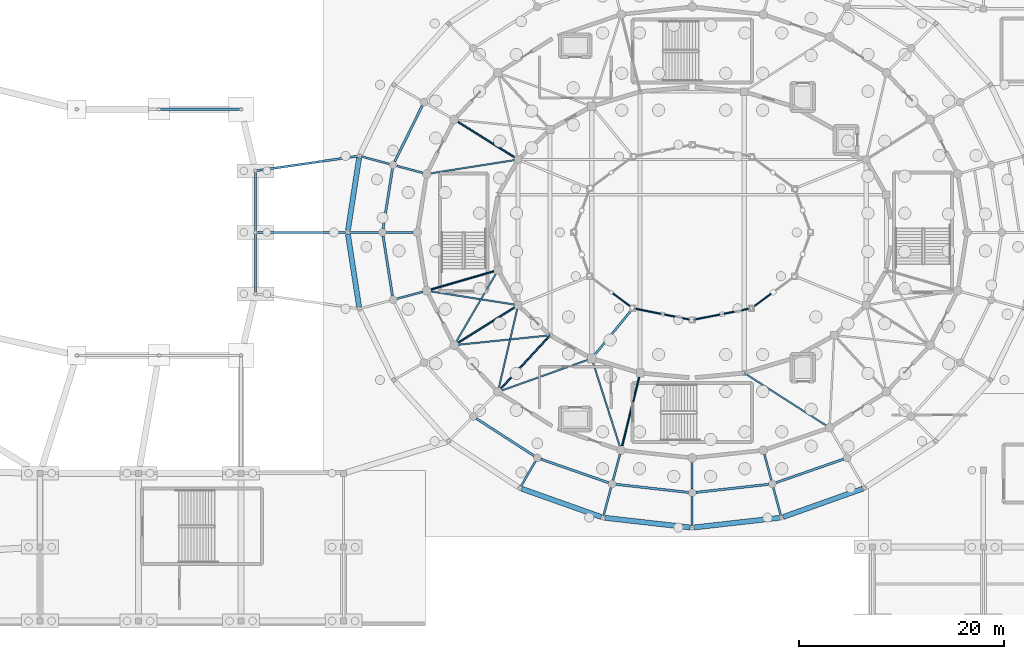
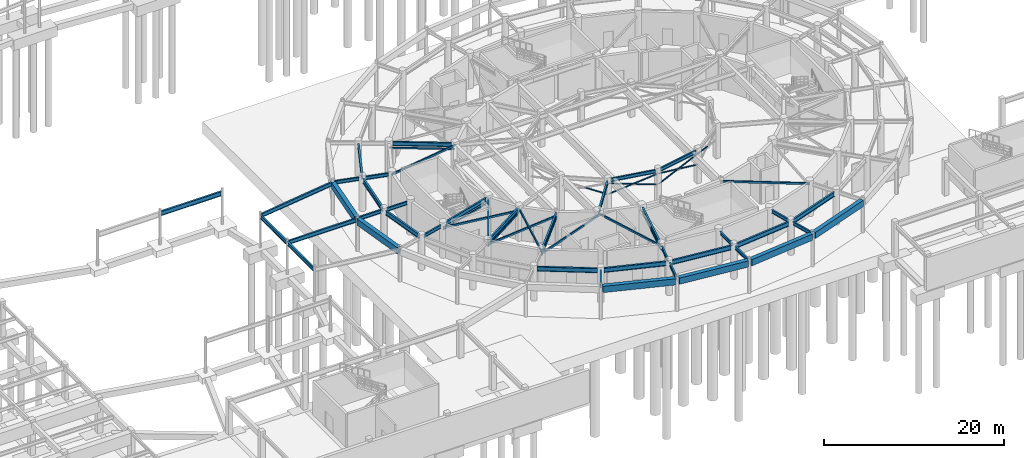
# One storey, part 28 of 68: 39 beams, 21 members.
"""IFC4 building model written with IfcOpenShell, lengths in metres."""

from ifc_helpers import new_model, si_unit, direction, frame, origin, origin_2d, place, context, subcontext, project, spatial, rectangle, hollow_rectangle, hollow_circle, i_section, extrude, material, material_profile, profile_set, type_object, element, save


model = new_model("IFC4")

# Units and contexts
model_context = context("Model", 3, precision=1e-05, world=origin(), true_north=direction((0.0, 1.0)))
body_context = subcontext(model_context, "Body", "Model", "MODEL_VIEW")
ifc_project = project(units=[si_unit("LENGTHUNIT", "METRE"), si_unit("AREAUNIT", "SQUARE_METRE"), si_unit("VOLUMEUNIT", "CUBIC_METRE"), si_unit("PLANEANGLEUNIT", "RADIAN"), si_unit("MASSUNIT", "GRAM", prefix="KILO")], contexts=[model_context])

# Site, building, storey
site_placement = place(None, origin())
site = spatial("IfcSite", under=ifc_project, at=site_placement, CompositionType="ELEMENT")
building_placement = place(site_placement, origin())
building = spatial("IfcBuilding", under=site, at=building_placement, Name="Cinderbank Siding Concert Hall", CompositionType="ELEMENT")
storey_placement = place(building_placement, frame((0.0, 0.0, -4.800048828125)))
storey = spatial("IfcBuildingStorey", under=building, at=storey_placement, Name="B1", CompositionType="ELEMENT", Elevation=-4.800048828125)

# Beams
ifc_material_1 = material(Name="Reinforced concrete AS 3600 N50 (50 MPa)", Category="concrete")
ifc_material_profile_1 = material_profile(ifc_material_1, rectangle(XDim=0.5, YDim=0.85009765625, at=origin_2d()), Name="RC-BM-500x850", Category="LoadBearing")
ifc_profile_set_1 = profile_set([ifc_material_profile_1], Name="Reinforced concrete AS 3600 N50 (50 MPa)")
beam_type_1 = type_object("IfcBeamType", Name="BM-RC850 RC-BM-500x850", PredefinedType="BEAM", material=ifc_profile_set_1)
for number, where, z_axis, x_axis, name in (
    (1, (89.515380859375, 51.260986328125, 4.09716796875), (-0.151823720732, -0.988407586891, 0.0), (0.988407586891, -0.151823720732, 0.0), "B1 Beam BM-RC850 #261"),
    (2, (88.4296875, 43.80712890625, 4.09716796875), (0.151823720732, -0.988407586891, 0.0), (0.988407586891, 0.151823720732, 0.0), "B1 Beam BM-RC850 #262"),
):
    element("IfcBeam", number, at=place(storey_placement, frame(where, z_axis=z_axis, x_axis=x_axis)), inside=storey, type_object=beam_type_1, Name=name, PredefinedType="BEAM", context=body_context, shape_type="SweptSolid", body=[
        extrude(rectangle(XDim=0.5, YDim=0.85009765625, at=origin_2d()), origin(), (0.0, 0.0, 1.0), 7.151123046875),
    ])
beam_1_placement = place(storey_placement, frame((105.3837890625, 18.9931640625, 4.09716796875), z_axis=(0.942369378189, -0.334574289287, 0.0), x_axis=(0.334574289287, 0.942369378189, 0.0)))
element("IfcBeam", 3, at=beam_1_placement, inside=storey, type_object=beam_type_1, Name="B1 Beam BM-RC850 #266", PredefinedType="BEAM", context=body_context, shape_type="SweptSolid", body=[
    extrude(rectangle(XDim=0.5, YDim=0.85009765625, at=origin_2d()), origin(), (0.0, 0.0, 1.0), 8.209228515625),
])
for number, where, z_axis, x_axis, name in (
    (4, (113.497802734375, 16.159423828125, 4.09716796875), (0.993693548107, -0.112129980157, 0.0), (0.112129980157, 0.993693548107, 0.0), "B1 Beam BM-RC850 #267"),
    (5, (122.194091796875, 15.221923828125, 4.09716796875), (0.993693548107, 0.112129980157, 0.0), (-0.112129980157, 0.993693548107, 0.0), "B1 Beam BM-RC850 #268"),
):
    element("IfcBeam", number, at=place(storey_placement, frame(where, z_axis=z_axis, x_axis=x_axis)), inside=storey, type_object=beam_type_1, Name=name, PredefinedType="BEAM", context=body_context, shape_type="SweptSolid", body=[
        extrude(rectangle(XDim=0.5, YDim=0.85009765625, at=origin_2d()), origin(), (0.0, 0.0, 1.0), 8.36083984375),
    ])
beam_2_placement = place(storey_placement, frame((130.880126953125, 16.24658203125, 4.09716796875), z_axis=(0.942369378189, 0.334574289287, 0.0), x_axis=(-0.334574289287, 0.942369378189, 0.0)))
element("IfcBeam", 6, at=beam_2_placement, inside=storey, type_object=beam_type_1, Name="B1 Beam BM-RC850 #269", PredefinedType="BEAM", context=body_context, shape_type="SweptSolid", body=[
    extrude(rectangle(XDim=0.5, YDim=0.85009765625, at=origin_2d()), origin(), (0.0, 0.0, 1.0), 8.209228515625),
])
ifc_material_2 = material(Name="Structural steel AS/NZS 3679.1 Grade 350 (340 MPa)", Category="steel")
ifc_material_profile_2 = material_profile(ifc_material_2, i_section(OverallWidth=0.18994140625, OverallDepth=0.45751953125, WebThickness=0.009033203125, FlangeThickness=0.014404296875, at=origin_2d()), Name="460UB74.6", Category="LoadBearing")
ifc_profile_set_2 = profile_set([ifc_material_profile_2], Name="Structural steel AS/NZS 3679.1 Grade 350 (340 MPa)")
beam_type_2 = type_object("IfcBeamType", Name="BM-UB460 460UB74.6", PredefinedType="BEAM", material=ifc_profile_set_2)
for number, where, z_axis, x_axis, name in (
    (7, (116.511474609375, 36.538818359375, 4.25341796875), (0.980885780775, -0.19458439062, 0.0), (0.19458439062, 0.980885780775, 0.0), "B1 Beam BM-UB460 #142"),
    (8, (122.286376953125, 35.5068359375, 4.25341796875), (0.980885780775, 0.19458439062, 0.0), (-0.19458439062, 0.980885780775, 0.0), "B1 Beam BM-UB460 #144"),
):
    element("IfcBeam", number, at=place(storey_placement, frame(where, z_axis=z_axis, x_axis=x_axis)), inside=storey, type_object=beam_type_2, Name=name, PredefinedType="BEAM", context=body_context, shape_type="SweptSolid", body=[
        extrude(i_section(OverallWidth=0.18994140625, OverallDepth=0.45751953125, WebThickness=0.009033203125, FlangeThickness=0.014404296875, at=origin_2d()), origin(), (0.0, 0.0, 1.0), 5.303466796875),
    ])
ifc_material_profile_3 = material_profile(ifc_material_2, i_section(OverallWidth=0.19091796875, OverallDepth=0.46044921875, WebThickness=0.010009765625, FlangeThickness=0.01611328125, at=origin_2d()), Name="460UB82.1", Category="LoadBearing")
ifc_profile_set_3 = profile_set([ifc_material_profile_3], Name="Structural steel AS/NZS 3679.1 Grade 350 (340 MPa)")
beam_type_3 = type_object("IfcBeamType", Name="BM-UB460H 460UB82.1", PredefinedType="BEAM", material=ifc_profile_set_3)
for number, where, z_axis, x_axis, name in (
    (9, (95.71044921875, 49.802001953125, 4.251953125), (-0.965932222184, 0.258795174118, 0.0), (-0.258795174118, -0.965932222184, 0.0), "B1 Beam BM-UB460H #296"),
    (10, (94.782958984375, 44.0, 4.251953125), (-1.0, 0.0, 0.0), (0.0, -1.0, 0.0), "B1 Beam BM-UB460H #297"),
    (11, (95.71044921875, 38.197998046875, 4.251953125), (-0.965932222184, -0.258795174118, 0.0), (0.258795174118, -0.965932222184, 0.0), "B1 Beam BM-UB460H #298"),
):
    element("IfcBeam", number, at=place(storey_placement, frame(where, z_axis=z_axis, x_axis=x_axis)), inside=storey, type_object=beam_type_3, Name=name, PredefinedType="BEAM", context=body_context, shape_type="SweptSolid", body=[
        extrude(i_section(OverallWidth=0.19091796875, OverallDepth=0.46044921875, WebThickness=0.010009765625, FlangeThickness=0.01611328125, at=origin_2d()), origin(), (0.0, 0.0, 1.0), 2.615966796875),
    ])
beam_3_placement = place(storey_placement, frame((114.955810546875, 22.3466796875, 4.251953125), z_axis=(-0.258818505844, -0.965925970783, 0.0), x_axis=(0.965925970783, -0.258818505844, 0.0)))
element("IfcBeam", 12, at=beam_3_placement, inside=storey, type_object=beam_type_3, Name="B1 Beam BM-UB460H #301", PredefinedType="BEAM", context=body_context, shape_type="SweptSolid", body=[
    extrude(i_section(OverallWidth=0.19091796875, OverallDepth=0.46044921875, WebThickness=0.010009765625, FlangeThickness=0.01611328125, at=origin_2d()), origin(), (0.0, 0.0, 1.0), 2.61572265625),
])
beam_4_placement = place(storey_placement, frame((122.0, 21.5830078125, 4.251953125), z_axis=(0.0, -1.0, 0.0), x_axis=(1.0, 0.0, 0.0)))
element("IfcBeam", 13, at=beam_4_placement, inside=storey, type_object=beam_type_3, Name="B1 Beam BM-UB460H #302", PredefinedType="BEAM", context=body_context, shape_type="SweptSolid", body=[
    extrude(i_section(OverallWidth=0.19091796875, OverallDepth=0.46044921875, WebThickness=0.010009765625, FlangeThickness=0.01611328125, at=origin_2d()), origin(), (0.0, 0.0, 1.0), 2.615966796875),
])
beam_5_placement = place(storey_placement, frame((129.044189453125, 22.3466796875, 4.251953125), z_axis=(0.258818505844, -0.965925970783, 0.0), x_axis=(0.965925970783, 0.258818505844, 0.0)))
element("IfcBeam", 14, at=beam_5_placement, inside=storey, type_object=beam_type_3, Name="B1 Beam BM-UB460H #303", PredefinedType="BEAM", context=body_context, shape_type="SweptSolid", body=[
    extrude(i_section(OverallWidth=0.19091796875, OverallDepth=0.46044921875, WebThickness=0.010009765625, FlangeThickness=0.01611328125, at=origin_2d()), origin(), (0.0, 0.0, 1.0), 2.61572265625),
])
for number, where, z_axis, x_axis, name in (
    (15, (92.474609375, 50.6689453125, 4.291748046875), (-0.965915793318, 0.258856485758, 0.0), (-0.258856485758, -0.965915793318, 0.0), "B1 Beam BM-UB460H #320"),
    (16, (91.43310546875, 44.0, 4.291748046875), (-1.0, 0.0, 0.0), (0.0, -1.0, 0.0), "B1 Beam BM-UB460H #321"),
    (17, (106.716552734375, 21.685302734375, 4.291748046875), (-0.499988053408, -0.866032301043, 0.0), (0.866032301043, -0.499988053408, 0.0), "B1 Beam BM-UB460H #325"),
    (18, (114.088623046875, 19.111083984375, 4.291748046875), (-0.258776220076, -0.965937300203, 0.0), (0.965937300203, -0.258776220076, 0.0), "B1 Beam BM-UB460H #326"),
):
    element("IfcBeam", number, at=place(storey_placement, frame(where, z_axis=z_axis, x_axis=x_axis)), inside=storey, type_object=beam_type_3, Name=name, PredefinedType="BEAM", context=body_context, shape_type="SweptSolid", body=[
        extrude(i_section(OverallWidth=0.19091796875, OverallDepth=0.46044921875, WebThickness=0.010009765625, FlangeThickness=0.01611328125, at=origin_2d()), origin(), (0.0, 0.0, 1.0), 2.837890625),
    ])
beam_6_placement = place(storey_placement, frame((122.0, 18.23291015625, 4.291748046875), z_axis=(0.0, -1.0, 0.0), x_axis=(1.0, 0.0, 0.0)))
element("IfcBeam", 19, at=beam_6_placement, inside=storey, type_object=beam_type_3, Name="B1 Beam BM-UB460H #327", PredefinedType="BEAM", context=body_context, shape_type="SweptSolid", body=[
    extrude(i_section(OverallWidth=0.19091796875, OverallDepth=0.46044921875, WebThickness=0.010009765625, FlangeThickness=0.01611328125, at=origin_2d()), origin(), (0.0, 0.0, 1.0), 2.837646484375),
])
beam_7_placement = place(storey_placement, frame((129.911376953125, 19.111083984375, 4.291748046875), z_axis=(0.258776220076, -0.965937300203, 0.0), x_axis=(0.965937300203, 0.258776220076, 0.0)))
element("IfcBeam", 20, at=beam_7_placement, inside=storey, type_object=beam_type_3, Name="B1 Beam BM-UB460H #328", PredefinedType="BEAM", context=body_context, shape_type="SweptSolid", body=[
    extrude(i_section(OverallWidth=0.19091796875, OverallDepth=0.46044921875, WebThickness=0.010009765625, FlangeThickness=0.01611328125, at=origin_2d()), origin(), (0.0, 0.0, 1.0), 2.837890625),
])
ifc_material_profile_4 = material_profile(ifc_material_2, i_section(OverallWidth=0.208984375, OverallDepth=0.5283203125, WebThickness=0.009521484375, FlangeThickness=0.01318359375, at=origin_2d()), Name="530UB82.0", Category="LoadBearing")
ifc_profile_set_4 = profile_set([ifc_material_profile_4], Name="Structural steel AS/NZS 3679.1 Grade 350 (340 MPa)")
beam_type_4 = type_object("IfcBeamType", Name="BM-UB530 530UB82.0", PredefinedType="BEAM", material=ifc_profile_set_4)
for number, where, z_axis, x_axis, name in (
    (21, (79.39990234375, 38.154052734375, 4.216064453125), (0.0, 1.0, 0.0), (-1.0, 0.0, 0.0), "B1 Beam BM-UB530 #26"),
    (22, (79.39990234375, 44.154052734375, 4.216064453125), (0.0, 1.0, 0.0), (-1.0, 0.0, 0.0), "B1 Beam BM-UB530 #27"),
):
    element("IfcBeam", number, at=place(storey_placement, frame(where, z_axis=z_axis, x_axis=x_axis)), inside=storey, type_object=beam_type_4, Name=name, PredefinedType="BEAM", context=body_context, shape_type="SweptSolid", body=[
        extrude(i_section(OverallWidth=0.208984375, OverallDepth=0.5283203125, WebThickness=0.009521484375, FlangeThickness=0.01318359375, at=origin_2d()), origin(), (0.0, 0.0, 1.0), 5.69189453125),
    ])
beam_8_placement = place(storey_placement, frame((79.553955078125, 44.0, 4.216064453125), z_axis=(1.0, 0.0, 0.0), x_axis=(0.0, 1.0, 0.0)))
element("IfcBeam", 23, at=beam_8_placement, inside=storey, type_object=beam_type_4, Name="B1 Beam BM-UB530 #29", PredefinedType="BEAM", context=body_context, shape_type="SweptSolid", body=[
    extrude(i_section(OverallWidth=0.208984375, OverallDepth=0.5283203125, WebThickness=0.009521484375, FlangeThickness=0.01318359375, at=origin_2d()), origin(), (0.0, 0.0, 1.0), 8.65087890625),
])
beam_9_placement = place(storey_placement, frame((79.552490234375, 50.021728515625, 4.216064453125), z_axis=(0.989883786207, 0.141880547662, 0.0), x_axis=(-0.141880547662, 0.989883786207, 0.0)))
element("IfcBeam", 24, at=beam_9_placement, inside=storey, type_object=beam_type_4, Name="B1 Beam BM-UB530 #30", PredefinedType="BEAM", context=body_context, shape_type="SweptSolid", body=[
    extrude(i_section(OverallWidth=0.208984375, OverallDepth=0.5283203125, WebThickness=0.009521484375, FlangeThickness=0.01318359375, at=origin_2d()), origin(), (0.0, 0.0, 1.0), 9.8994140625),
])
beam_10_placement = place(storey_placement, frame((116.03955078125, 36.3701171875, 4.218017578125), z_axis=(-0.635272208626, -0.772288301703, 0.0), x_axis=(0.772288301703, -0.635272208626, 0.0)))
element("IfcBeam", 25, at=beam_10_placement, inside=storey, type_object=beam_type_4, Name="B1 Beam BM-UB530 #143", PredefinedType="BEAM", context=body_context, shape_type="SweptSolid", body=[
    extrude(i_section(OverallWidth=0.208984375, OverallDepth=0.5283203125, WebThickness=0.009521484375, FlangeThickness=0.01318359375, at=origin_2d()), origin(), (0.0, 0.0, 1.0), 5.626953125),
])
ifc_material_profile_5 = material_profile(ifc_material_2, i_section(OverallWidth=0.208984375, OverallDepth=0.532958984375, WebThickness=0.01025390625, FlangeThickness=0.015625, at=origin_2d()), Name="530UB92.4", Category="LoadBearing")
ifc_profile_set_5 = profile_set([ifc_material_profile_5], Name="Structural steel AS/NZS 3679.1 Grade 350 (340 MPa)")
beam_type_5 = type_object("IfcBeamType", Name="BM-UB530H 530UB92.4", PredefinedType="BEAM", material=ifc_profile_set_5)
beam_11_placement = place(storey_placement, frame((104.73583984375, 51.281494140625, 4.235595703125), z_axis=(-0.847831894761, 0.530265101836, 0.0), x_axis=(-0.530265101836, -0.847831894761, 0.0)))
element("IfcBeam", 26, at=beam_11_placement, inside=storey, type_object=beam_type_5, Name="B1 Beam BM-UB530H #277", PredefinedType="BEAM", context=body_context, shape_type="SweptSolid", body=[
    extrude(i_section(OverallWidth=0.208984375, OverallDepth=0.532958984375, WebThickness=0.01025390625, FlangeThickness=0.015625, at=origin_2d()), origin(), (0.0, 0.0, 1.0), 6.595458984375),
])
beam_12_placement = place(storey_placement, frame((102.71533203125, 40.222412109375, 4.235595703125), z_axis=(-0.960354063368, -0.278783200664, 0.0), x_axis=(0.278783200664, -0.960354063368, 0.0)))
element("IfcBeam", 27, at=beam_12_placement, inside=storey, type_object=beam_type_5, Name="B1 Beam BM-UB530H #278", PredefinedType="BEAM", context=body_context, shape_type="SweptSolid", body=[
    extrude(i_section(OverallWidth=0.208984375, OverallDepth=0.532958984375, WebThickness=0.01025390625, FlangeThickness=0.015625, at=origin_2d()), origin(), (0.0, 0.0, 1.0), 6.457763671875),
])
beam_13_placement = place(storey_placement, frame((104.73583984375, 36.718505859375, 4.235595703125), z_axis=(-0.847831894761, -0.530265101836, 0.0), x_axis=(0.530265101836, -0.847831894761, 0.0)))
element("IfcBeam", 28, at=beam_13_placement, inside=storey, type_object=beam_type_5, Name="B1 Beam BM-UB530H #279", PredefinedType="BEAM", context=body_context, shape_type="SweptSolid", body=[
    extrude(i_section(OverallWidth=0.208984375, OverallDepth=0.532958984375, WebThickness=0.01025390625, FlangeThickness=0.015625, at=origin_2d()), origin(), (0.0, 0.0, 1.0), 6.595458984375),
])
beam_14_placement = place(storey_placement, frame((108.010498046875, 33.818115234375, 4.235595703125), z_axis=(-0.678277162402, -0.734806158768, 0.0), x_axis=(0.734806158768, -0.678277162402, 0.0)))
element("IfcBeam", 29, at=beam_14_placement, inside=storey, type_object=beam_type_5, Name="B1 Beam BM-UB530H #280", PredefinedType="BEAM", context=body_context, shape_type="SweptSolid", body=[
    extrude(i_section(OverallWidth=0.208984375, OverallDepth=0.532958984375, WebThickness=0.01025390625, FlangeThickness=0.015625, at=origin_2d()), origin(), (0.0, 0.0, 1.0), 6.897216796875),
])
beam_15_placement = place(storey_placement, frame((116.839111328125, 29.927490234375, 4.235595703125), z_axis=(-0.240106099592, -0.970746651263, 0.0), x_axis=(0.970746651263, -0.240106099592, 0.0)))
element("IfcBeam", 30, at=beam_15_placement, inside=storey, type_object=beam_type_5, Name="B1 Beam BM-UB530H #281", PredefinedType="BEAM", context=body_context, shape_type="SweptSolid", body=[
    extrude(i_section(OverallWidth=0.208984375, OverallDepth=0.532958984375, WebThickness=0.01025390625, FlangeThickness=0.015625, at=origin_2d()), origin(), (0.0, 0.0, 1.0), 6.977294921875),
])
ifc_material_profile_6 = material_profile(ifc_material_2, i_section(OverallWidth=0.22802734375, OverallDepth=0.602294921875, WebThickness=0.010498046875, FlangeThickness=0.014892578125, at=origin_2d()), Name="610UB101", Category="LoadBearing")
ifc_profile_set_6 = profile_set([ifc_material_profile_6], Name="Structural steel AS/NZS 3679.1 Grade 350 (340 MPa)")
beam_type_6 = type_object("IfcBeamType", Name="BM-UB610 610UB101", PredefinedType="BEAM", material=ifc_profile_set_6)
beam_16_placement = place(storey_placement, frame((70.15380859375, 56.0, 4.180908203125), z_axis=(1.0, 0.0, 0.0), x_axis=(0.0, 1.0, 0.0)))
element("IfcBeam", 31, at=beam_16_placement, inside=storey, type_object=beam_type_6, Name="B1 Beam BM-UB610 #1228", PredefinedType="BEAM", context=body_context, shape_type="SweptSolid", body=[
    extrude(i_section(OverallWidth=0.22802734375, OverallDepth=0.602294921875, WebThickness=0.010498046875, FlangeThickness=0.014892578125, at=origin_2d()), origin(), (0.0, 0.0, 1.0), 7.6923828125),
])
ifc_material_profile_7 = material_profile(ifc_material_2, i_section(OverallWidth=0.22802734375, OverallDepth=0.60693359375, WebThickness=0.01123046875, FlangeThickness=0.017333984375, at=origin_2d()), Name="610UB113", Category="LoadBearing")
ifc_profile_set_7 = profile_set([ifc_material_profile_7], Name="Structural steel AS/NZS 3679.1 Grade 350 (340 MPa)")
beam_type_7 = type_object("IfcBeamType", Name="BM-UB610M 610UB113", PredefinedType="BEAM", material=ifc_profile_set_7)
beam_17_placement = place(storey_placement, frame((95.683837890625, 56.370849609375, 4.178466796875), z_axis=(-0.441805555106, -0.89711083567, 0.0), x_axis=(0.89711083567, -0.441805555106, 0.0)))
element("IfcBeam", 32, at=beam_17_placement, inside=storey, type_object=beam_type_7, Name="B1 Beam BM-UB610M #236", PredefinedType="BEAM", context=body_context, shape_type="SweptSolid", body=[
    extrude(i_section(OverallWidth=0.22802734375, OverallDepth=0.60693359375, WebThickness=0.01123046875, FlangeThickness=0.017333984375, at=origin_2d()), origin(), (0.0, 0.0, 1.0), 6.094482421875),
])
for number, where, z_axis, x_axis, name in (
    (33, (92.772216796875, 50.21142578125, 4.178466796875), (-0.154647347638, -0.9879697353, 0.0), (0.9879697353, -0.154647347638, 0.0), "B1 Beam BM-UB610M #237"),
    (34, (91.856689453125, 43.637451171875, 4.178466796875), (0.154647347638, -0.9879697353, 0.0), (0.9879697353, 0.154647347638, 0.0), "B1 Beam BM-UB610M #238"),
):
    element("IfcBeam", number, at=place(storey_placement, frame(where, z_axis=z_axis, x_axis=x_axis)), inside=storey, type_object=beam_type_7, Name=name, PredefinedType="BEAM", context=body_context, shape_type="SweptSolid", body=[
        extrude(i_section(OverallWidth=0.22802734375, OverallDepth=0.60693359375, WebThickness=0.01123046875, FlangeThickness=0.017333984375, at=origin_2d()), origin(), (0.0, 0.0, 1.0), 5.920166015625),
    ])
beam_18_placement = place(storey_placement, frame((100.953857421875, 25.840576171875, 4.178466796875), z_axis=(0.840198253685, -0.542279350984, 0.0), x_axis=(0.542279350984, 0.840198253685, 0.0)))
element("IfcBeam", 35, at=beam_18_placement, inside=storey, type_object=beam_type_7, Name="B1 Beam BM-UB610M #241", PredefinedType="BEAM", context=body_context, shape_type="SweptSolid", body=[
    extrude(i_section(OverallWidth=0.22802734375, OverallDepth=0.60693359375, WebThickness=0.01123046875, FlangeThickness=0.017333984375, at=origin_2d()), origin(), (0.0, 0.0, 1.0), 6.7099609375),
])
beam_19_placement = place(storey_placement, frame((107.24658203125, 21.88232421875, 4.178466796875), z_axis=(0.944329139602, -0.329002243303, 0.0), x_axis=(0.329002243303, 0.944329139602, 0.0)))
element("IfcBeam", 36, at=beam_19_placement, inside=storey, type_object=beam_type_7, Name="B1 Beam BM-UB610M #242", PredefinedType="BEAM", context=body_context, shape_type="SweptSolid", body=[
    extrude(i_section(OverallWidth=0.22802734375, OverallDepth=0.60693359375, WebThickness=0.01123046875, FlangeThickness=0.017333984375, at=origin_2d()), origin(), (0.0, 0.0, 1.0), 6.97900390625),
])
for number, where, z_axis, x_axis, name in (
    (37, (114.548583984375, 19.425048828125, 4.178466796875), (0.993925837604, -0.1100519393, 0.0), (0.1100519393, 0.993925837604, 0.0), "B1 Beam BM-UB610M #243"),
    (38, (122.36474609375, 18.640380859375, 4.178466796875), (0.993925837604, 0.1100519393, 0.0), (-0.1100519393, 0.993925837604, 0.0), "B1 Beam BM-UB610M #244"),
):
    element("IfcBeam", number, at=place(storey_placement, frame(where, z_axis=z_axis, x_axis=x_axis)), inside=storey, type_object=beam_type_7, Name=name, PredefinedType="BEAM", context=body_context, shape_type="SweptSolid", body=[
        extrude(i_section(OverallWidth=0.22802734375, OverallDepth=0.60693359375, WebThickness=0.01123046875, FlangeThickness=0.017333984375, at=origin_2d()), origin(), (0.0, 0.0, 1.0), 7.1298828125),
    ])
beam_20_placement = place(storey_placement, frame((130.162841796875, 19.586181640625, 4.178466796875), z_axis=(0.944329139602, 0.329002243303, 0.0), x_axis=(-0.329002243303, 0.944329139602, 0.0)))
element("IfcBeam", 39, at=beam_20_placement, inside=storey, type_object=beam_type_7, Name="B1 Beam BM-UB610M #245", PredefinedType="BEAM", context=body_context, shape_type="SweptSolid", body=[
    extrude(i_section(OverallWidth=0.22802734375, OverallDepth=0.60693359375, WebThickness=0.01123046875, FlangeThickness=0.017333984375, at=origin_2d()), origin(), (0.0, 0.0, 1.0), 6.97900390625),
])

# Members
ifc_material_3 = material(Name="Structural steel hollow section AS/NZS 1163 Grade C350L0 (350 MPa)", Category="steel")
ifc_material_profile_8 = material_profile(ifc_material_3, hollow_circle(Radius=0.084228515625, WallThickness=0.007080078125, at=origin_2d()), Name="168.3x7.1CHS", Category="LoadBearing")
ifc_profile_set_8 = profile_set([ifc_material_profile_8], Name="Structural steel hollow section AS/NZS 1163 Grade C350L0 (350 MPa)")
member_type_1 = type_object("IfcMemberType", Name="BR-CHS168 168.3x7.1CHS Roof Truss", PredefinedType="BRACE", material=ifc_profile_set_8)
member_1_placement = place(storey_placement, frame((116.16064453125, 36.64306640625, 2.400146484375), z_axis=(-0.773503697063, 0.572598459824, 0.271703946303), x_axis=(-0.59498112384, -0.803739673199, 0.0)))
element("IfcMember", 40, at=member_1_placement, inside=storey, type_object=member_type_1, Name="B1 Diagonal Brace BR-CHS168 #RKCR-BR-CHS168-B1-2013", PredefinedType="BRACE", context=body_context, shape_type="SweptSolid", body=[
    extrude(hollow_circle(Radius=0.084228515625, WallThickness=0.007080078125, at=origin_2d()), origin(), (0.0, 0.0, 1.0), 2.634521484375),
])
member_2_placement = place(storey_placement, frame((116.303466796875, 36.579833984375, 2.400146484375), z_axis=(0.95128806538, -0.188678402955, 0.243826735457), x_axis=(0.194550158365, 0.980892571019, 0.0)))
element("IfcMember", 41, at=member_2_placement, inside=storey, type_object=member_type_1, Name="B1 Diagonal Brace BR-CHS168 #RKCR-BR-CHS168-B1-2014", PredefinedType="BRACE", context=body_context, shape_type="SweptSolid", body=[
    extrude(hollow_circle(Radius=0.084228515625, WallThickness=0.007080078125, at=origin_2d()), origin(), (0.0, 0.0, 1.0), 5.905517578125),
])
for number, where, z_axis, x_axis, name in (
    (42, (121.92138671875, 35.465576171875, 2.400146484375), (-0.951279182197, 0.18872674262, 0.243823981879), (-0.19459986347, -0.980882711203, 0.0), "B1 Diagonal Brace BR-CHS168 #RKCR-BR-CHS168-B1-2015"),
    (43, (119.09814453125, 36.025634765625, 3.123779296875), (-0.951294098882, 0.188646597752, 0.2438278052), (-0.194517417313, -0.980899064309, 0.0), "B1 Diagonal Brace BR-CHS168 #RKCR-BR-CHS168-B1-2015-S161"),
):
    element("IfcMember", number, at=place(storey_placement, frame(where, z_axis=z_axis, x_axis=x_axis)), inside=storey, type_object=member_type_1, Name=name, PredefinedType="BRACE", context=body_context, shape_type="SweptSolid", body=[
        extrude(hollow_circle(Radius=0.084228515625, WallThickness=0.007080078125, at=origin_2d()), origin(), (0.0, 0.0, 1.0), 2.937744140625),
    ])
member_3_placement = place(storey_placement, frame((122.07861328125, 35.465576171875, 2.400146484375), z_axis=(0.95128806538, 0.188678402955, 0.243826735457), x_axis=(-0.194550158365, 0.980892571019, 0.0)))
element("IfcMember", 44, at=member_3_placement, inside=storey, type_object=member_type_1, Name="B1 Diagonal Brace BR-CHS168 #RKCR-BR-CHS168-B1-2016", PredefinedType="BRACE", context=body_context, shape_type="SweptSolid", body=[
    extrude(hollow_circle(Radius=0.084228515625, WallThickness=0.007080078125, at=origin_2d()), origin(), (0.0, 0.0, 1.0), 5.905517578125),
])
for number, where, z_axis, x_axis, name in (
    (45, (127.696533203125, 36.579833984375, 2.400146484375), (-0.951294098882, -0.188646597752, 0.2438278052), (0.194517417313, -0.980899064309, 0.0), "B1 Diagonal Brace BR-CHS168 #RKCR-BR-CHS168-B1-2017"),
    (46, (124.873291015625, 36.02001953125, 3.123779296875), (-0.951279182197, -0.18872674262, 0.243823981879), (0.19459986347, -0.980882711203, 0.0), "B1 Diagonal Brace BR-CHS168 #RKCR-BR-CHS168-B1-2017-S162"),
):
    element("IfcMember", number, at=place(storey_placement, frame(where, z_axis=z_axis, x_axis=x_axis)), inside=storey, type_object=member_type_1, Name=name, PredefinedType="BRACE", context=body_context, shape_type="SweptSolid", body=[
        extrude(hollow_circle(Radius=0.084228515625, WallThickness=0.007080078125, at=origin_2d()), origin(), (0.0, 0.0, 1.0), 2.937744140625),
    ])
member_4_placement = place(storey_placement, frame((129.877197265625, 38.151611328125, 3.124267578125), z_axis=(-0.773503697063, -0.572598459824, 0.271703946303), x_axis=(0.59498112384, -0.803739673199, 0.0)))
element("IfcMember", 47, at=member_4_placement, inside=storey, type_object=member_type_1, Name="B1 Diagonal Brace BR-CHS168 #RKCR-BR-CHS168-B1-2019-S163", PredefinedType="BRACE", context=body_context, shape_type="SweptSolid", body=[
    extrude(hollow_circle(Radius=0.084228515625, WallThickness=0.007080078125, at=origin_2d()), origin(), (0.0, 0.0, 1.0), 2.634521484375),
])
ifc_material_profile_9 = material_profile(ifc_material_3, hollow_rectangle(XDim=0.10009765625, YDim=0.199951171875, WallThickness=0.008056640625, at=origin_2d()), Name="200x100x8.0RHS", Category="LoadBearing")
ifc_profile_set_9 = profile_set([ifc_material_profile_9], Name="Structural steel hollow section AS/NZS 1163 Grade C350L0 (350 MPa)")
member_type_2 = type_object("IfcMemberType", Name="PR-RHS200 200x100x8.0RHS Roof Truss", PredefinedType="PURLIN", material=ifc_profile_set_9)
member_5_placement = place(storey_placement, frame((105.02587890625, 51.10009765625, 3.64013671875), z_axis=(-0.847826684568, 0.530273432235, 0.0), x_axis=(-0.530273432235, -0.847826684568, 0.0)))
element("IfcMember", 48, at=member_5_placement, inside=storey, type_object=member_type_2, Name="B1 Roof Truss Member PR-RHS200 #2160", PredefinedType="PURLIN", context=body_context, shape_type="SweptSolid", body=[
    extrude(hollow_rectangle(XDim=0.10009765625, YDim=0.199951171875, WallThickness=0.008056640625, at=origin_2d()), origin(), (0.0, 0.0, 1.0), 7.3544921875),
])
member_6_placement = place(storey_placement, frame((103.06787109375, 40.32470703125, 3.64013671875), z_axis=(-0.960356417746, -0.278775090161, 0.0), x_axis=(0.278775090161, -0.960356417746, 0.0)))
element("IfcMember", 49, at=member_6_placement, inside=storey, type_object=member_type_2, Name="B1 Roof Truss Member PR-RHS200 #2163", PredefinedType="PURLIN", context=body_context, shape_type="SweptSolid", body=[
    extrude(hollow_rectangle(XDim=0.10009765625, YDim=0.199951171875, WallThickness=0.008056640625, at=origin_2d()), origin(), (0.0, 0.0, 1.0), 7.24169921875),
])
member_7_placement = place(storey_placement, frame((105.02587890625, 36.89990234375, 3.64013671875), z_axis=(-0.847826684568, -0.530273432235, 0.0), x_axis=(0.530273432235, -0.847826684568, 0.0)))
element("IfcMember", 50, at=member_7_placement, inside=storey, type_object=member_type_2, Name="B1 Roof Truss Member PR-RHS200 #2166", PredefinedType="PURLIN", context=body_context, shape_type="SweptSolid", body=[
    extrude(hollow_rectangle(XDim=0.10009765625, YDim=0.199951171875, WallThickness=0.008056640625, at=origin_2d()), origin(), (0.0, 0.0, 1.0), 7.3544921875),
])
member_8_placement = place(storey_placement, frame((108.140625, 33.958984375, 3.64013671875), z_axis=(-0.678276049894, -0.734807185689, 0.0), x_axis=(0.734807185689, -0.678276049894, 0.0)))
element("IfcMember", 51, at=member_8_placement, inside=storey, type_object=member_type_2, Name="B1 Roof Truss Member PR-RHS200 #2168", PredefinedType="PURLIN", context=body_context, shape_type="SweptSolid", body=[
    extrude(hollow_rectangle(XDim=0.10009765625, YDim=0.199951171875, WallThickness=0.008056640625, at=origin_2d()), origin(), (0.0, 0.0, 1.0), 7.505859375),
])
member_9_placement = place(storey_placement, frame((116.927001953125, 30.283935546875, 3.64013671875), z_axis=(-0.240070192761, -0.970755531814, 0.0), x_axis=(0.970755531814, -0.240070192761, 0.0)))
element("IfcMember", 52, at=member_9_placement, inside=storey, type_object=member_type_2, Name="B1 Roof Truss Member PR-RHS200 #2170", PredefinedType="PURLIN", context=body_context, shape_type="SweptSolid", body=[
    extrude(hollow_rectangle(XDim=0.10009765625, YDim=0.199951171875, WallThickness=0.008056640625, at=origin_2d()), origin(), (0.0, 0.0, 1.0), 7.761474609375),
])
ifc_material_profile_10 = material_profile(ifc_material_3, hollow_rectangle(XDim=0.14990234375, YDim=0.25, WallThickness=0.009033203125, at=origin_2d()), Name="250x150x9.0RHS", Category="LoadBearing")
ifc_profile_set_10 = profile_set([ifc_material_profile_10], Name="Structural steel hollow section AS/NZS 1163 Grade C350L0 (350 MPa)")
member_type_3 = type_object("IfcMemberType", Name="TR-RHS250 250x150x9.0RHS Roof Truss", PredefinedType="RAFTER", material=ifc_profile_set_10)
member_10_placement = place(storey_placement, frame((105.02587890625, 51.10009765625, 4.179931640625), z_axis=(-0.987784236991, -0.155827793262, 0.0), x_axis=(0.155827793262, -0.987784236991, 0.0)))
element("IfcMember", 53, at=member_10_placement, inside=storey, type_object=member_type_3, Name="B1 Roof Truss Member TR-RHS250 #2159", PredefinedType="RAFTER", context=body_context, shape_type="SweptSolid", body=[
    extrude(hollow_rectangle(XDim=0.14990234375, YDim=0.25, WallThickness=0.009033203125, at=origin_2d()), origin(), (0.0, 0.0, 1.0), 9.022705078125),
])
member_11_placement = place(storey_placement, frame((103.06787109375, 40.32470703125, 4.179931640625), z_axis=(-0.50427542144, -0.863542876372, 0.0), x_axis=(0.863542876372, -0.50427542144, 0.0)))
element("IfcMember", 54, at=member_11_placement, inside=storey, type_object=member_type_3, Name="B1 Roof Truss Member TR-RHS250 #2161", PredefinedType="RAFTER", context=body_context, shape_type="SweptSolid", body=[
    extrude(hollow_rectangle(XDim=0.14990234375, YDim=0.25, WallThickness=0.009033203125, at=origin_2d()), origin(), (0.0, 0.0, 1.0), 8.482177734375),
])
member_12_placement = place(storey_placement, frame((105.02587890625, 36.89990234375, 3.900146484375), z_axis=(-0.987784236991, 0.155827793262, 0.0), x_axis=(-0.155827793262, -0.987784236991, 0.0)))
element("IfcMember", 55, at=member_12_placement, inside=storey, type_object=member_type_3, Name="B1 Roof Truss Member TR-RHS250 #2162", PredefinedType="RAFTER", context=body_context, shape_type="SweptSolid", body=[
    extrude(hollow_rectangle(XDim=0.14990234375, YDim=0.25, WallThickness=0.009033203125, at=origin_2d()), origin(), (0.0, 0.0, 1.0), 9.022705078125),
])
member_13_placement = place(storey_placement, frame((105.02587890625, 36.89990234375, 4.179931640625), z_axis=(-0.227577092084, -0.973760066525, 0.0), x_axis=(0.973760066525, -0.227577092084, 0.0)))
element("IfcMember", 56, at=member_13_placement, inside=storey, type_object=member_type_3, Name="B1 Roof Truss Member TR-RHS250 #2164", PredefinedType="RAFTER", context=body_context, shape_type="SweptSolid", body=[
    extrude(hollow_rectangle(XDim=0.14990234375, YDim=0.25, WallThickness=0.009033203125, at=origin_2d()), origin(), (0.0, 0.0, 1.0), 8.68408203125),
])
member_14_placement = place(storey_placement, frame((108.140625, 33.958984375, 3.900146484375), z_axis=(-0.994781438611, -0.102028865499, 0.0), x_axis=(0.102028865499, -0.994781438611, 0.0)))
element("IfcMember", 57, at=member_14_placement, inside=storey, type_object=member_type_3, Name="B1 Roof Truss Member TR-RHS250 #2165", PredefinedType="RAFTER", context=body_context, shape_type="SweptSolid", body=[
    extrude(hollow_rectangle(XDim=0.14990234375, YDim=0.25, WallThickness=0.009033203125, at=origin_2d()), origin(), (0.0, 0.0, 1.0), 9.399169921875),
])
member_15_placement = place(storey_placement, frame((112.199951171875, 31.702392578125, 3.900146484375), z_axis=(-0.942041785809, -0.335495564487, 0.0), x_axis=(0.335495564487, -0.942041785809, 0.0)))
element("IfcMember", 58, at=member_15_placement, inside=storey, type_object=member_type_3, Name="B1 Roof Truss Member TR-RHS250 #2167", PredefinedType="RAFTER", context=body_context, shape_type="SweptSolid", body=[
    extrude(hollow_rectangle(XDim=0.14990234375, YDim=0.25, WallThickness=0.009033203125, at=origin_2d()), origin(), (0.0, 0.0, 1.0), 9.71337890625),
])
member_16_placement = place(storey_placement, frame((112.199951171875, 31.702392578125, 4.179931640625), z_axis=(0.304664519425, -0.952459726499, 0.0), x_axis=(0.952459726499, 0.304664519425, 0.0)))
element("IfcMember", 59, at=member_16_placement, inside=storey, type_object=member_type_3, Name="B1 Roof Truss Member TR-RHS250 #2169", PredefinedType="RAFTER", context=body_context, shape_type="SweptSolid", body=[
    extrude(hollow_rectangle(XDim=0.14990234375, YDim=0.25, WallThickness=0.009033203125, at=origin_2d()), origin(), (0.0, 0.0, 1.0), 9.399658203125),
])
member_17_placement = place(storey_placement, frame((127.072998046875, 30.283935546875, 4.179931640625), z_axis=(0.841940386591, -0.539570556487, 0.0), x_axis=(0.539570556487, 0.841940386591, 0.0)))
element("IfcMember", 60, at=member_17_placement, inside=storey, type_object=member_type_3, Name="B1 Roof Truss Member TR-RHS250 #2171", PredefinedType="RAFTER", context=body_context, shape_type="SweptSolid", body=[
    extrude(hollow_rectangle(XDim=0.14990234375, YDim=0.25, WallThickness=0.009033203125, at=origin_2d()), origin(), (0.0, 0.0, 1.0), 9.89013671875),
])

save(model, "model.ifc")
